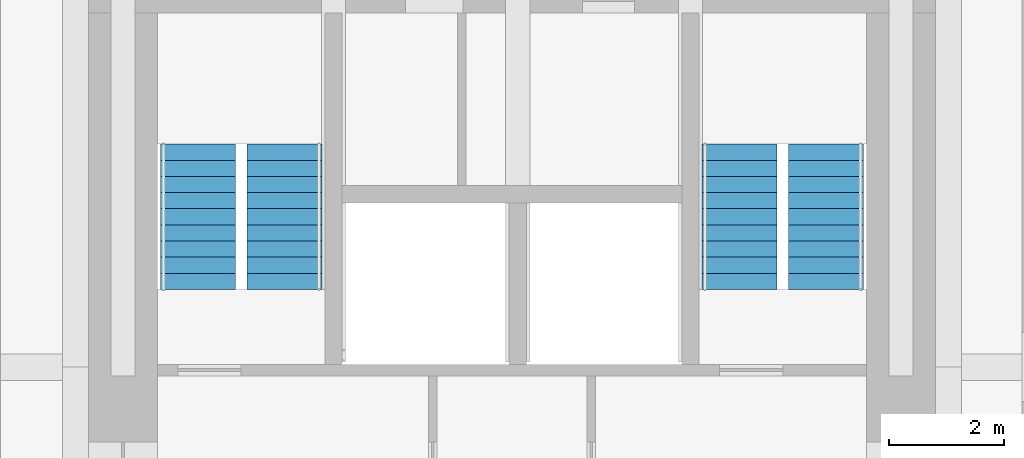
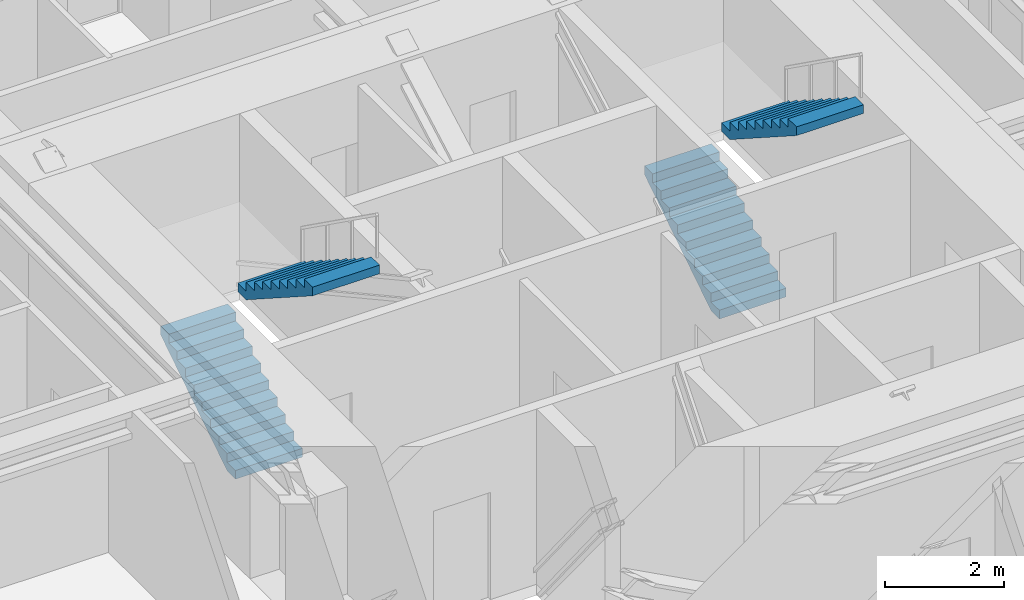
# One storey, part 12 of 13: 4 stair flights, 2 elements without a shape of their own.
"""IFC4 building model written with IfcOpenShell, lengths in metres."""

from ifc_helpers import new_model, si_unit, direction, frame, origin, place, context, subcontext, project, spatial, polyline, outline, extrude, material, type_object, element, aggregate, save


model = new_model("IFC4")

# Units and contexts
model_context = context("Model", 3, precision=1e-05, world=origin(), true_north=direction((0.0, 1.0)))
body_context = subcontext(model_context, "Body", "Model", "MODEL_VIEW")
ifc_project = project(units=[si_unit("LENGTHUNIT", "METRE"), si_unit("AREAUNIT", "SQUARE_METRE"), si_unit("VOLUMEUNIT", "CUBIC_METRE"), si_unit("PLANEANGLEUNIT", "RADIAN"), si_unit("MASSUNIT", "GRAM", prefix="KILO")], contexts=[model_context])

# Site, building, storey
site_placement = place(None, origin())
site = spatial("IfcSite", under=ifc_project, at=site_placement, CompositionType="ELEMENT")
building_placement = place(site_placement, origin())
building = spatial("IfcBuilding", under=site, at=building_placement, Name="Nyansa Garden Tower", CompositionType="ELEMENT")
storey_placement = place(building_placement, frame((0.0, 0.0, 94.5)))
storey = spatial("IfcBuildingStorey", under=building, at=storey_placement, Name="L25", CompositionType="ELEMENT", Elevation=94.5)

# Stair, stair flights
ifc_material_1 = material(Name="Precast concrete C40/50", Category="concrete")
stair_type_1 = type_object("IfcStairType", Name="Stair S1 180x280", PredefinedType="HALF_TURN_STAIR", material=ifc_material_1)
stair_1_placement = place(storey_placement, origin())
stair_1 = element("IfcStair", 1, at=stair_1_placement, inside=storey, type_object=stair_type_1, Name="Stair S1 L25", PredefinedType="HALF_TURN_STAIR")
ifc_material_2 = material(Name="Precast concrete C40/50", Category="concrete")
stair_flight_type_1 = type_object("IfcStairFlightType", Name="Stair flight S1 180x280x10", PredefinedType="STRAIGHT", material=ifc_material_2)
stair_flight_1_placement = place(storey_placement, frame((14.800048828125, 21.60009765625, 0.0), z_axis=(0.0, 0.0, 1.0), x_axis=(0.0, 1.0, 0.0)))
stair_flight_1 = element("IfcStairFlight", 2, at=stair_flight_1_placement, type_object=stair_flight_type_1, Name="S1 flight 1", NumberOfRisers=10, NumberOfTreads=9, PredefinedType="STRAIGHT", RiserHeight=0.18, TreadLength=0.28, context=body_context, shape_type="SweptSolid", body=[
    extrude(outline(polyline([(0.0, 0.0), (0.0, 0.179931640625), (0.280029296875, 0.179931640625), (0.280029296875, 0.360107421875), (0.56005859375, 0.360107421875), (0.56005859375, 0.5400390625), (0.840087890625, 0.5400390625), (0.840087890625, 0.719970703125), (1.1201171875, 0.719970703125), (1.1201171875, 0.89990234375), (1.39990234375, 0.89990234375), (1.39990234375, 1.080078125), (1.679931640625, 1.080078125), (1.679931640625, 1.260009765625), (1.9599609375, 1.260009765625), (1.9599609375, 1.43994140625), (2.239990234375, 1.43994140625), (2.239990234375, 1.6201171875), (2.52001953125, 1.6201171875), (2.52001953125, 1.800048828125), (2.52001953125, 1.44189453125), (0.277099609375, 0.0), (0.0, 0.0)])), frame((0.0, 0.64990234375, 0.0), z_axis=(0.0, -1.0, 0.0), x_axis=(1.0, 0.0, 0.0)), (0.0, 0.0, 1.0), 1.300048828125),
])
stair_flight_2_placement = place(storey_placement, frame((16.300048828125, 24.1201171875, 1.800048828125), z_axis=(0.0, 0.0, 1.0), x_axis=(0.0, -1.0, 0.0)))
stair_flight_2 = element("IfcStairFlight", 3, at=stair_flight_2_placement, type_object=stair_flight_type_1, Name="S1 flight 2", NumberOfRisers=10, NumberOfTreads=9, PredefinedType="STRAIGHT", RiserHeight=0.18, TreadLength=0.28, context=body_context, shape_type="SweptSolid", body=[
    extrude(outline(polyline([(0.0, 0.0), (0.0, 0.179931640625), (0.280029296875, 0.179931640625), (0.280029296875, 0.360107421875), (0.56005859375, 0.360107421875), (0.56005859375, 0.5400390625), (0.840087890625, 0.5400390625), (0.840087890625, 0.719970703125), (1.1201171875, 0.719970703125), (1.1201171875, 0.89990234375), (1.39990234375, 0.89990234375), (1.39990234375, 1.080078125), (1.679931640625, 1.080078125), (1.679931640625, 1.260009765625), (1.9599609375, 1.260009765625), (1.9599609375, 1.43994140625), (2.239990234375, 1.43994140625), (2.239990234375, 1.6201171875), (2.52001953125, 1.6201171875), (2.52001953125, 1.800048828125), (2.52001953125, 1.44189453125), (0.277099609375, 0.0), (0.0, 0.0)])), frame((0.0, 0.64990234375, 0.0), z_axis=(0.0, -1.0, 0.0), x_axis=(1.0, 0.0, 0.0)), (0.0, 0.0, 1.0), 1.300048828125),
])
aggregate(stair_1, [stair_flight_1, stair_flight_2])

ifc_material_3 = material(Name="Precast concrete C40/50", Category="concrete")
stair_type_2 = type_object("IfcStairType", Name="Stair S2 180x280", PredefinedType="HALF_TURN_STAIR", material=ifc_material_3)
stair_2_placement = place(storey_placement, origin())
stair_2 = element("IfcStair", 4, at=stair_2_placement, inside=storey, type_object=stair_type_2, Name="Stair S2 L25", PredefinedType="HALF_TURN_STAIR")
ifc_material_4 = material(Name="Precast concrete C40/50", Category="concrete")
stair_flight_type_2 = type_object("IfcStairFlightType", Name="Stair flight S2 180x280x10", PredefinedType="STRAIGHT", material=ifc_material_4)
stair_flight_3_placement = place(storey_placement, frame((24.199951171875, 21.60009765625, 0.0), z_axis=(0.0, 0.0, 1.0), x_axis=(0.0, 1.0, 0.0)))
stair_flight_3 = element("IfcStairFlight", 5, at=stair_flight_3_placement, type_object=stair_flight_type_2, Name="S2 flight 1", NumberOfRisers=10, NumberOfTreads=9, PredefinedType="STRAIGHT", RiserHeight=0.18, TreadLength=0.28, context=body_context, shape_type="SweptSolid", body=[
    extrude(outline(polyline([(0.0, 0.0), (0.0, 0.179931640625), (0.280029296875, 0.179931640625), (0.280029296875, 0.360107421875), (0.56005859375, 0.360107421875), (0.56005859375, 0.5400390625), (0.840087890625, 0.5400390625), (0.840087890625, 0.719970703125), (1.1201171875, 0.719970703125), (1.1201171875, 0.89990234375), (1.39990234375, 0.89990234375), (1.39990234375, 1.080078125), (1.679931640625, 1.080078125), (1.679931640625, 1.260009765625), (1.9599609375, 1.260009765625), (1.9599609375, 1.43994140625), (2.239990234375, 1.43994140625), (2.239990234375, 1.6201171875), (2.52001953125, 1.6201171875), (2.52001953125, 1.800048828125), (2.52001953125, 1.44189453125), (0.277099609375, 0.0), (0.0, 0.0)])), frame((0.0, 0.64990234375, 0.0), z_axis=(0.0, -1.0, 0.0), x_axis=(1.0, 0.0, 0.0)), (0.0, 0.0, 1.0), 1.300048828125),
])
stair_flight_4_placement = place(storey_placement, frame((25.699951171875, 24.1201171875, 1.800048828125), z_axis=(0.0, 0.0, 1.0), x_axis=(0.0, -1.0, 0.0)))
stair_flight_4 = element("IfcStairFlight", 6, at=stair_flight_4_placement, type_object=stair_flight_type_2, Name="S2 flight 2", NumberOfRisers=10, NumberOfTreads=9, PredefinedType="STRAIGHT", RiserHeight=0.18, TreadLength=0.28, context=body_context, shape_type="SweptSolid", body=[
    extrude(outline(polyline([(0.0, 0.0), (0.0, 0.179931640625), (0.280029296875, 0.179931640625), (0.280029296875, 0.360107421875), (0.56005859375, 0.360107421875), (0.56005859375, 0.5400390625), (0.840087890625, 0.5400390625), (0.840087890625, 0.719970703125), (1.1201171875, 0.719970703125), (1.1201171875, 0.89990234375), (1.39990234375, 0.89990234375), (1.39990234375, 1.080078125), (1.679931640625, 1.080078125), (1.679931640625, 1.260009765625), (1.9599609375, 1.260009765625), (1.9599609375, 1.43994140625), (2.239990234375, 1.43994140625), (2.239990234375, 1.6201171875), (2.52001953125, 1.6201171875), (2.52001953125, 1.800048828125), (2.52001953125, 1.44189453125), (0.277099609375, 0.0), (0.0, 0.0)])), frame((0.0, 0.64990234375, 0.0), z_axis=(0.0, -1.0, 0.0), x_axis=(1.0, 0.0, 0.0)), (0.0, 0.0, 1.0), 1.300048828125),
])
aggregate(stair_2, [stair_flight_3, stair_flight_4])

save(model, "model.ifc")
